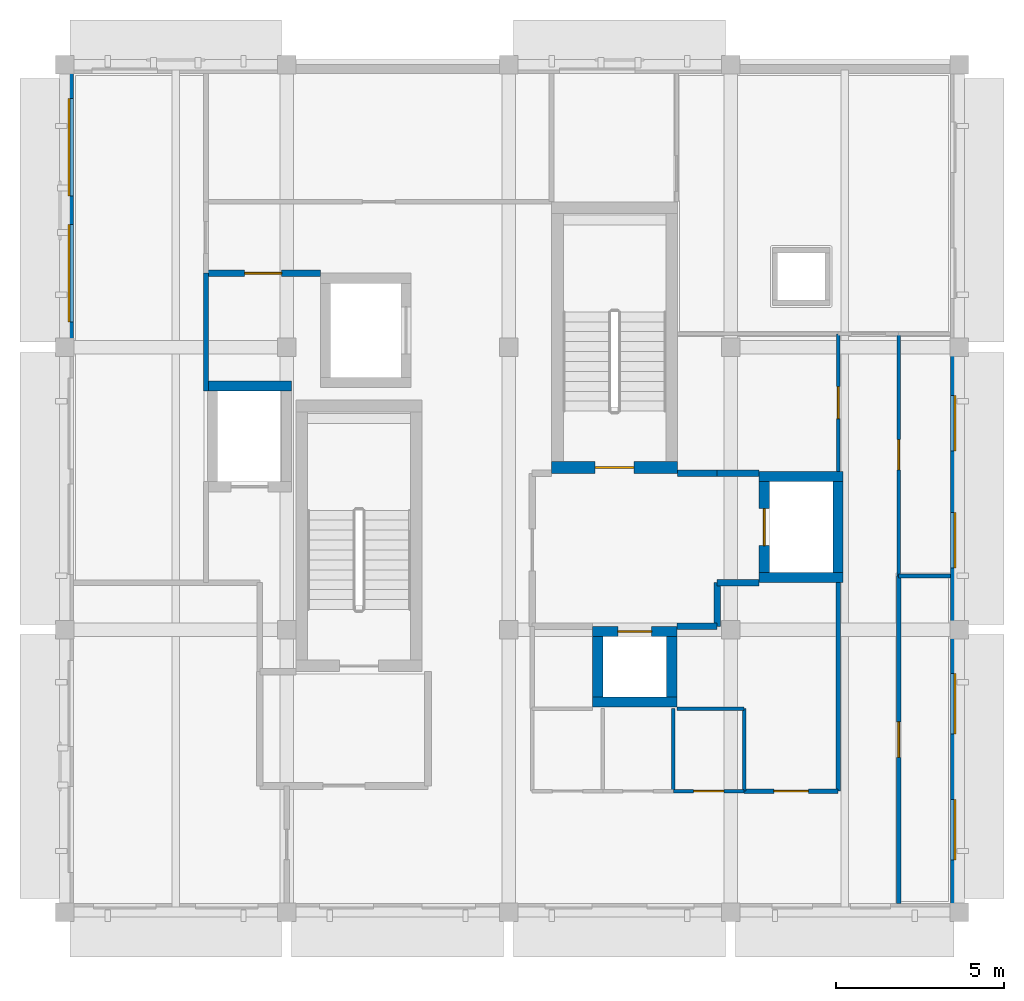
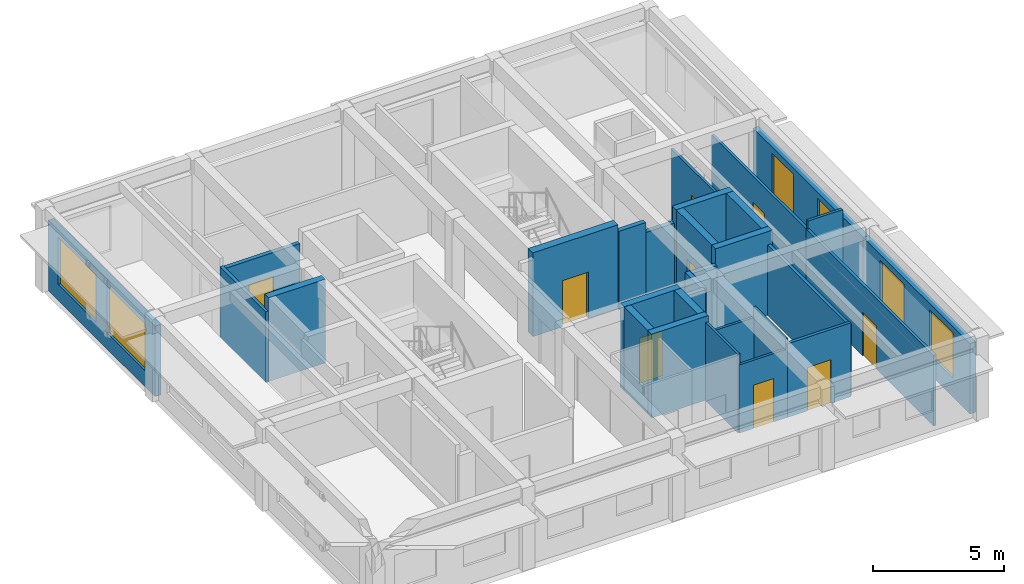
# One storey, part 3 of 7: 30 walls, 9 doors, 6 windows, 15 openings.
"""IFC4 building model written with IfcOpenShell, lengths in metres."""

from ifc_helpers import new_model, si_unit, direction, frame, frame_2d, origin, place, context, subcontext, project, spatial, rectangle, extrude, material, layer, layer_set, type_object, element, fill, save


model = new_model("IFC4")

# Units and contexts
model_context = context("Model", 3, precision=1e-05, world=origin(), true_north=direction((0.0, 1.0)))
body_context = subcontext(model_context, "Body", "Model", "MODEL_VIEW")
ifc_project = project(units=[si_unit("LENGTHUNIT", "METRE"), si_unit("AREAUNIT", "SQUARE_METRE"), si_unit("VOLUMEUNIT", "CUBIC_METRE"), si_unit("PLANEANGLEUNIT", "RADIAN"), si_unit("MASSUNIT", "GRAM", prefix="KILO")], contexts=[model_context])

# Site, building, storey
site_placement = place(None, origin())
site = spatial("IfcSite", under=ifc_project, at=site_placement, CompositionType="ELEMENT")
building_placement = place(site_placement, origin())
building = spatial("IfcBuilding", under=site, at=building_placement, Name="Kolvaren Faculty of Natural Sciences", CompositionType="ELEMENT")
storey_placement = place(building_placement, frame((0.0, 0.0, 40.5)))
storey = spatial("IfcBuildingStorey", under=building, at=storey_placement, Name="L09", CompositionType="ELEMENT", Elevation=40.5)

# Wall
ifc_material_1 = material(Name="Acoustic mineral-wool insulated gypsum partition")
ifc_layer_1 = layer(ifc_material_1, 0.14501953125)
ifc_layer_set_1 = layer_set([ifc_layer_1], Name="Acoustic mineral-wool insulated gypsum partition")
wall_type_1 = type_object("IfcWallType", Name="CommonsPartitionWall_145", PredefinedType="PARTITIONING", material=ifc_layer_set_1)
wall_1_placement = place(storey_placement, frame((149.60009765625, 78.0, 0.0), z_axis=(0.0, 0.0, 1.0), x_axis=(0.0, -1.0, 0.0)))
element("IfcWall", 1, at=wall_1_placement, inside=storey, type_object=wall_type_1, Name="L09 interior partition PW-145", PredefinedType="PARTITIONING", context=body_context, shape_type="SweptSolid", body=[
    extrude(rectangle(XDim=3.5, YDim=0.14501953125, at=frame_2d((1.75, 0.0))), origin(), (0.0, 0.0, 1.0), 3.284912109375),
])

# Wall, opening, door
ifc_material_2 = material(Name="Concrete C40/50", Category="concrete")
ifc_layer_2 = layer(ifc_material_2, 0.35009765625)
ifc_layer_set_2 = layer_set([ifc_layer_2], Name="Concrete C40/50")
wall_type_2 = type_object("IfcWallType", Name="CoreShearWall_350", PredefinedType="SHEAR", material=ifc_layer_set_2)
wall_2_placement = place(storey_placement, frame((159.875, 72.22509765625, 0.0), z_axis=(0.0, 0.0, 1.0), x_axis=(1.0, 0.0, 0.0)))
wall_2 = element("IfcWall", 2, at=wall_2_placement, inside=storey, type_object=wall_type_2, Name="L09 CORE-C1 stair shear wall S", PredefinedType="SHEAR", context=body_context, shape_type="SweptSolid", body=[
    extrude(rectangle(XDim=3.75, YDim=0.35009765625, at=frame_2d((1.875, 0.0))), origin(), (0.0, 0.0, 1.0), 3.89990234375),
])
opening_1_placement = place(wall_2_placement, frame((1.300048828125, 0.0, 0.0)))
opening_1 = element("IfcOpeningElement", 3, at=opening_1_placement, cuts=wall_2, Name="Opening FD90", PredefinedType="OPENING", context=body_context, shape_type="SweptSolid", body=[
    extrude(rectangle(XDim=1.14990234375, YDim=2.14990234375, at=frame_2d((0.574951171875, 1.074951171875))), frame((0.0, 0.18505859375, 0.0), z_axis=(0.0, -1.0, 0.0), x_axis=(1.0, 0.0, 0.0)), (0.0, 0.0, 1.0), 0.3701171875),
])
ifc_material_3 = material(Name="Fire-rated solid-core hardwood door leaf in steel frame", Category="steel")
door_type_1 = type_object("IfcDoorType", Name="StairCoreFireDoor_1150x2150", OperationType="NOTDEFINED", PredefinedType="DOOR", material=ifc_material_3)
door_1_placement = place(opening_1_placement, origin())
door_1 = element("IfcDoor", 4, at=door_1_placement, inside=storey, type_object=door_type_1, Name="D-ST-ST-1-L09", OperationType="SINGLE_SWING_LEFT", OverallHeight=2.14990234375, OverallWidth=1.14990234375, PredefinedType="DOOR", context=body_context, shape_type="SweptSolid", body=[
    extrude(rectangle(XDim=1.14990234375, YDim=2.14990234375, at=frame_2d((0.574951171875, 1.074951171875))), frame((0.0, 0.02490234375, 0.0), z_axis=(0.0, -1.0, 0.0), x_axis=(1.0, 0.0, 0.0)), (0.0, 0.0, 1.0), 0.050048828125),
])
fill(opening_1, door_1)

# Wall, openings, windows
ifc_material_4 = material(Name="Precast concrete C35/45", Category="concrete")
ifc_layer_3 = layer(ifc_material_4, 0.260009765625)
ifc_layer_set_3 = layer_set([ifc_layer_3], Name="Precast concrete C35/45")
wall_type_3 = type_object("IfcWallType", Name="ExteriorPrecastWall_260", PredefinedType="STANDARD", material=ifc_layer_set_3)
wall_3_placement = place(storey_placement, frame((171.8701171875, 75.800048828125, 0.0), z_axis=(0.0, 0.0, 1.0), x_axis=(0.0, -1.0, 0.0)))
wall_3 = element("IfcWall", 5, at=wall_3_placement, inside=storey, type_object=wall_type_3, Name="L09 exterior masonry wall EW-260 (741)", PredefinedType="STANDARD", context=body_context, shape_type="SweptSolid", body=[
    extrude(rectangle(XDim=8.400146484375, YDim=0.260009765625, at=frame_2d((4.2001953125, 0.0))), origin(), (0.0, 0.0, 1.0), 3.284912109375),
])
opening_2_placement = place(wall_3_placement, frame((1.443115234375, 0.0, 0.89990234375)))
opening_2 = element("IfcOpeningElement", 6, at=opening_2_placement, cuts=wall_3, Name="Opening WIN-04", PredefinedType="OPENING", context=body_context, shape_type="SweptSolid", body=[
    extrude(rectangle(XDim=1.64990234375, YDim=2.10009765625, at=frame_2d((0.824951171875, 1.050048828125))), frame((0.0, 0.139892578125, 0.0), z_axis=(0.0, -1.0, 0.0), x_axis=(1.0, 0.0, 0.0)), (0.0, 0.0, 1.0), 0.280029296875),
])
opening_3_placement = place(wall_3_placement, frame((4.909912109375, 0.0, 0.89990234375)))
opening_3 = element("IfcOpeningElement", 7, at=opening_3_placement, cuts=wall_3, Name="Opening WIN-04", PredefinedType="OPENING", context=body_context, shape_type="SweptSolid", body=[
    extrude(rectangle(XDim=1.64990234375, YDim=2.10009765625, at=frame_2d((0.824951171875, 1.050048828125))), frame((0.0, 0.139892578125, 0.0), z_axis=(0.0, -1.0, 0.0), x_axis=(1.0, 0.0, 0.0)), (0.0, 0.0, 1.0), 0.280029296875),
])
ifc_material_5 = material(Name="Double low-E solar control insulated glazing", Category="glass")
window_type_1 = type_object("IfcWindowType", Name="AluWindow_WIN04_1650x2100", PartitioningType="SINGLE_PANEL", PredefinedType="WINDOW", material=ifc_material_5)
window_1_placement = place(opening_2_placement, origin())
window_1 = element("IfcWindow", 8, at=window_1_placement, inside=storey, type_object=window_type_1, Name="WIN-L09-0607", OverallHeight=2.10009765625, OverallWidth=1.64990234375, PartitioningType="SINGLE_PANEL", PredefinedType="WINDOW", context=body_context, shape_type="SweptSolid", body=[
    extrude(rectangle(XDim=1.64990234375, YDim=2.10009765625, at=frame_2d((0.824951171875, 1.050048828125))), frame((0.0, 0.030029296875, 0.0), z_axis=(0.0, -1.0, 0.0), x_axis=(1.0, 0.0, 0.0)), (0.0, 0.0, 1.0), 0.06005859375),
])
fill(opening_2, window_1)
window_2_placement = place(opening_3_placement, origin())
window_2 = element("IfcWindow", 9, at=window_2_placement, inside=storey, type_object=window_type_1, Name="WIN-L09-0608", OverallHeight=2.10009765625, OverallWidth=1.64990234375, PartitioningType="SINGLE_PANEL", PredefinedType="WINDOW", context=body_context, shape_type="SweptSolid", body=[
    extrude(rectangle(XDim=1.64990234375, YDim=2.10009765625, at=frame_2d((0.824951171875, 1.050048828125))), frame((0.0, 0.030029296875, 0.0), z_axis=(0.0, -1.0, 0.0), x_axis=(1.0, 0.0, 0.0)), (0.0, 0.0, 1.0), 0.06005859375),
])
fill(opening_3, window_2)

wall_4_placement = place(storey_placement, frame((171.8701171875, 67.39990234375, 0.0), z_axis=(0.0, 0.0, 1.0), x_axis=(0.0, -1.0, 0.0)))
wall_4 = element("IfcWall", 10, at=wall_4_placement, inside=storey, type_object=wall_type_3, Name="L09 exterior masonry wall EW-260 (742)", PredefinedType="STANDARD", context=body_context, shape_type="SweptSolid", body=[
    extrude(rectangle(XDim=8.139892578125, YDim=0.260009765625, at=frame_2d((4.06982421875, 0.0))), origin(), (0.0, 0.0, 1.0), 3.284912109375),
])
opening_4_placement = place(wall_4_placement, frame((1.2978515625, 0.0, 0.89990234375)))
opening_4 = element("IfcOpeningElement", 11, at=opening_4_placement, cuts=wall_4, Name="Opening WIN-05", PredefinedType="OPENING", context=body_context, shape_type="SweptSolid", body=[
    extrude(rectangle(XDim=1.800048828125, YDim=2.10009765625, at=frame_2d((0.89990234375, 1.050048828125))), frame((0.0, 0.139892578125, 0.0), z_axis=(0.0, -1.0, 0.0), x_axis=(1.0, 0.0, 0.0)), (0.0, 0.0, 1.0), 0.280029296875),
])
opening_5_placement = place(wall_4_placement, frame((5.042236328125, 0.0, 0.89990234375)))
opening_5 = element("IfcOpeningElement", 12, at=opening_5_placement, cuts=wall_4, Name="Opening WIN-05", PredefinedType="OPENING", context=body_context, shape_type="SweptSolid", body=[
    extrude(rectangle(XDim=1.800048828125, YDim=2.10009765625, at=frame_2d((0.89990234375, 1.050048828125))), frame((0.0, 0.139892578125, 0.0), z_axis=(0.0, -1.0, 0.0), x_axis=(1.0, 0.0, 0.0)), (0.0, 0.0, 1.0), 0.280029296875),
])
window_type_2 = type_object("IfcWindowType", Name="AluWindow_WIN05_1800x2100", PartitioningType="SINGLE_PANEL", PredefinedType="WINDOW", material=ifc_material_5)
window_3_placement = place(opening_4_placement, origin())
window_3 = element("IfcWindow", 13, at=window_3_placement, inside=storey, type_object=window_type_2, Name="WIN-L09-0609", OverallHeight=2.10009765625, OverallWidth=1.800048828125, PartitioningType="SINGLE_PANEL", PredefinedType="WINDOW", context=body_context, shape_type="SweptSolid", body=[
    extrude(rectangle(XDim=1.800048828125, YDim=2.10009765625, at=frame_2d((0.89990234375, 1.050048828125))), frame((0.0, 0.030029296875, 0.0), z_axis=(0.0, -1.0, 0.0), x_axis=(1.0, 0.0, 0.0)), (0.0, 0.0, 1.0), 0.06005859375),
])
fill(opening_4, window_3)
window_4_placement = place(opening_5_placement, origin())
window_4 = element("IfcWindow", 14, at=window_4_placement, inside=storey, type_object=window_type_2, Name="WIN-L09-0610", OverallHeight=2.10009765625, OverallWidth=1.800048828125, PartitioningType="SINGLE_PANEL", PredefinedType="WINDOW", context=body_context, shape_type="SweptSolid", body=[
    extrude(rectangle(XDim=1.800048828125, YDim=2.10009765625, at=frame_2d((0.89990234375, 1.050048828125))), frame((0.0, 0.030029296875, 0.0), z_axis=(0.0, -1.0, 0.0), x_axis=(1.0, 0.0, 0.0)), (0.0, 0.0, 1.0), 0.06005859375),
])
fill(opening_5, window_4)

wall_5_placement = place(storey_placement, frame((145.530029296875, 75.800048828125, 0.0), z_axis=(0.0, 0.0, 1.0), x_axis=(0.0, 1.0, 0.0)))
wall_5 = element("IfcWall", 15, at=wall_5_placement, inside=storey, type_object=wall_type_3, Name="L09 exterior masonry wall EW-260 (749)", PredefinedType="STANDARD", context=body_context, shape_type="SweptSolid", body=[
    extrude(rectangle(XDim=8.139892578125, YDim=0.260009765625, at=frame_2d((4.06982421875, 0.0))), origin(), (0.0, 0.0, 1.0), 3.284912109375),
])
opening_6_placement = place(wall_5_placement, frame((0.747802734375, 0.0, 0.75)))
opening_6 = element("IfcOpeningElement", 16, at=opening_6_placement, cuts=wall_5, Name="Opening WIN-12", PredefinedType="OPENING", context=body_context, shape_type="SweptSolid", body=[
    extrude(rectangle(XDim=2.89990234375, YDim=2.199951171875, at=frame_2d((1.449951171875, 1.10009765625))), frame((0.0, 0.139892578125, 0.0), z_axis=(0.0, -1.0, 0.0), x_axis=(1.0, 0.0, 0.0)), (0.0, 0.0, 1.0), 0.280029296875),
])
opening_7_placement = place(wall_5_placement, frame((4.4921875, 0.0, 0.75)))
opening_7 = element("IfcOpeningElement", 17, at=opening_7_placement, cuts=wall_5, Name="Opening WIN-12", PredefinedType="OPENING", context=body_context, shape_type="SweptSolid", body=[
    extrude(rectangle(XDim=2.89990234375, YDim=2.199951171875, at=frame_2d((1.449951171875, 1.10009765625))), frame((0.0, 0.139892578125, 0.0), z_axis=(0.0, -1.0, 0.0), x_axis=(1.0, 0.0, 0.0)), (0.0, 0.0, 1.0), 0.280029296875),
])
window_type_3 = type_object("IfcWindowType", Name="AluWindow_WIN12_2900x2200", PartitioningType="SINGLE_PANEL", PredefinedType="WINDOW", material=ifc_material_5)
window_5_placement = place(opening_6_placement, origin())
window_5 = element("IfcWindow", 18, at=window_5_placement, inside=storey, type_object=window_type_3, Name="WIN-L09-0617", OverallHeight=2.199951171875, OverallWidth=2.89990234375, PartitioningType="SINGLE_PANEL", PredefinedType="WINDOW", context=body_context, shape_type="SweptSolid", body=[
    extrude(rectangle(XDim=2.89990234375, YDim=2.199951171875, at=frame_2d((1.449951171875, 1.10009765625))), frame((0.0, 0.030029296875, 0.0), z_axis=(0.0, -1.0, 0.0), x_axis=(1.0, 0.0, 0.0)), (0.0, 0.0, 1.0), 0.06005859375),
])
fill(opening_6, window_5)
window_6_placement = place(opening_7_placement, origin())
window_6 = element("IfcWindow", 19, at=window_6_placement, inside=storey, type_object=window_type_3, Name="WIN-L09-0618", OverallHeight=2.199951171875, OverallWidth=2.89990234375, PartitioningType="SINGLE_PANEL", PredefinedType="WINDOW", context=body_context, shape_type="SweptSolid", body=[
    extrude(rectangle(XDim=2.89990234375, YDim=2.199951171875, at=frame_2d((1.449951171875, 1.10009765625))), frame((0.0, 0.030029296875, 0.0), z_axis=(0.0, -1.0, 0.0), x_axis=(1.0, 0.0, 0.0)), (0.0, 0.0, 1.0), 0.06005859375),
])
fill(opening_7, window_6)

# Walls
ifc_material_6 = material(Name="Autoclaved aerated fire-rated masonry blockwork", Category="masonry")
ifc_layer_4 = layer(ifc_material_6, 0.199951171875)
ifc_layer_set_4 = layer_set([ifc_layer_4], Name="Autoclaved aerated fire-rated masonry blockwork")
wall_type_4 = type_object("IfcWallType", Name="FireLobbyWall_200", PredefinedType="PARTITIONING", material=ifc_layer_set_4)
wall_6_placement = place(storey_placement, frame((163.625, 72.050048828125, 0.0), z_axis=(0.0, 0.0, 1.0), x_axis=(1.0, 0.0, 0.0)))
element("IfcWall", 20, at=wall_6_placement, inside=storey, type_object=wall_type_4, Name="L09 interior partition FW-200", PredefinedType="PARTITIONING", context=body_context, shape_type="SweptSolid", body=[
    extrude(rectangle(XDim=1.175048828125, YDim=0.199951171875, at=frame_2d((0.58740234375, 0.0))), origin(), (0.0, 0.0, 1.0), 3.655029296875),
])
for number, where, z_axis, x_axis, name in (
    (21, (164.800048828125, 72.050048828125, 0.0), (0.0, 0.0, 1.0), (1.0, 0.0, 0.0), "L09 interior partition FW-200"),
    (22, (166.050048828125, 68.800048828125, 0.0), (0.0, 0.0, 1.0), (-1.0, 0.0, 0.0), "L09 interior partition FW-200"),
):
    element("IfcWall", number, at=place(storey_placement, frame(where, z_axis=z_axis, x_axis=x_axis)), inside=storey, type_object=wall_type_4, Name=name, PredefinedType="PARTITIONING", context=body_context, shape_type="SweptSolid", body=[
        extrude(rectangle(XDim=1.25, YDim=0.199951171875, at=frame_2d((0.625, 0.0))), origin(), (0.0, 0.0, 1.0), 3.18505859375),
    ])
wall_7_placement = place(storey_placement, frame((164.800048828125, 68.800048828125, 0.0), z_axis=(0.0, 0.0, 1.0), x_axis=(0.0, -1.0, 0.0)))
element("IfcWall", 23, at=wall_7_placement, inside=storey, type_object=wall_type_4, Name="L09 interior partition FW-200", PredefinedType="PARTITIONING", context=body_context, shape_type="SweptSolid", body=[
    extrude(rectangle(XDim=1.300048828125, YDim=0.199951171875, at=frame_2d((0.64990234375, 0.0))), origin(), (0.0, 0.0, 1.0), 3.284912109375),
])
wall_8_placement = place(storey_placement, frame((164.800048828125, 67.5, 0.0), z_axis=(0.0, 0.0, 1.0), x_axis=(-1.0, 0.0, 0.0)))
element("IfcWall", 24, at=wall_8_placement, inside=storey, type_object=wall_type_4, Name="L09 interior partition FW-200", PredefinedType="PARTITIONING", context=body_context, shape_type="SweptSolid", body=[
    extrude(rectangle(XDim=1.199951171875, YDim=0.199951171875, at=frame_2d((0.60009765625, 0.0))), origin(), (0.0, 0.0, 1.0), 3.284912109375),
])

# Wall, opening, door
ifc_layer_5 = layer(ifc_material_1, 0.179931640625)
ifc_layer_set_5 = layer_set([ifc_layer_5], Name="Acoustic mineral-wool insulated gypsum partition")
wall_type_5 = type_object("IfcWallType", Name="LabPartitionWall_180", PredefinedType="PARTITIONING", material=ifc_layer_set_5)
wall_9_placement = place(storey_placement, frame((149.60009765625, 78.0, 0.0), z_axis=(0.0, 0.0, 1.0), x_axis=(1.0, 0.0, 0.0)))
wall_9 = element("IfcWall", 25, at=wall_9_placement, inside=storey, type_object=wall_type_5, Name="L09 interior partition PW-180", PredefinedType="PARTITIONING", context=body_context, shape_type="SweptSolid", body=[
    extrude(rectangle(XDim=3.39990234375, YDim=0.179931640625, at=frame_2d((1.699951171875, 0.0))), origin(), (0.0, 0.0, 1.0), 3.18505859375),
])
opening_8_placement = place(wall_9_placement, frame((1.14990234375, 0.0, 0.0)))
opening_8 = element("IfcOpeningElement", 26, at=opening_8_placement, cuts=wall_9, Name="Opening ID-10", PredefinedType="OPENING", context=body_context, shape_type="SweptSolid", body=[
    extrude(rectangle(XDim=1.10009765625, YDim=2.06005859375, at=frame_2d((0.550048828125, 1.030029296875))), frame((0.0, 0.099853515625, 0.0), z_axis=(0.0, -1.0, 0.0), x_axis=(1.0, 0.0, 0.0)), (0.0, 0.0, 1.0), 0.199951171875),
])
ifc_material_7 = material(Name="Solid-core hardwood veneer door leaf in steel frame", Category="steel")
door_type_2 = type_object("IfcDoorType", Name="InteriorRoomDoor_1100x2060", OperationType="NOTDEFINED", PredefinedType="DOOR", material=ifc_material_7)
door_2_placement = place(opening_8_placement, origin())
door_2 = element("IfcDoor", 27, at=door_2_placement, inside=storey, type_object=door_type_2, Name="D-L09-0394", OperationType="SINGLE_SWING_LEFT", OverallHeight=2.06005859375, OverallWidth=1.10009765625, PredefinedType="DOOR", context=body_context, shape_type="SweptSolid", body=[
    extrude(rectangle(XDim=1.10009765625, YDim=2.06005859375, at=frame_2d((0.550048828125, 1.030029296875))), frame((0.0, 0.02490234375, 0.0), z_axis=(0.0, -1.0, 0.0), x_axis=(1.0, 0.0, 0.0)), (0.0, 0.0, 1.0), 0.050048828125),
])
fill(opening_8, door_2)

# Wall
ifc_layer_6 = layer(ifc_material_1, 0.1298828125)
ifc_layer_set_6 = layer_set([ifc_layer_6], Name="Acoustic mineral-wool insulated gypsum partition")
wall_type_6 = type_object("IfcWallType", Name="OfficePartitionWall_130", PredefinedType="PARTITIONING", material=ifc_layer_set_6)
wall_10_placement = place(storey_placement, frame((168.39990234375, 68.798095703125, 0.0), z_axis=(0.0, 0.0, 1.0), x_axis=(0.0, -1.0, 0.0)))
element("IfcWall", 28, at=wall_10_placement, inside=storey, type_object=wall_type_6, Name="L09 interior partition PW-130", PredefinedType="PARTITIONING", context=body_context, shape_type="SweptSolid", body=[
    extrude(rectangle(XDim=6.197998046875, YDim=0.1298828125, at=frame_2d((3.09912109375, 0.0))), origin(), (0.0, 0.0, 1.0), 3.284912109375),
])

# Wall, opening, door
wall_11_placement = place(storey_placement, frame((168.39990234375, 62.60009765625, 0.0), z_axis=(0.0, 0.0, 1.0), x_axis=(-1.0, 0.0, 0.0)))
wall_11 = element("IfcWall", 29, at=wall_11_placement, inside=storey, type_object=wall_type_6, Name="L09 interior partition PW-130", PredefinedType="PARTITIONING", context=body_context, shape_type="SweptSolid", body=[
    extrude(rectangle(XDim=2.7998046875, YDim=0.1298828125, at=frame_2d((1.39990234375, 0.0))), origin(), (0.0, 0.0, 1.0), 3.43505859375),
])
opening_9_placement = place(wall_11_placement, frame((0.889892578125, 0.0, 0.0)))
opening_9 = element("IfcOpeningElement", 30, at=opening_9_placement, cuts=wall_11, Name="Opening ID-04", PredefinedType="OPENING", context=body_context, shape_type="SweptSolid", body=[
    extrude(rectangle(XDim=1.02001953125, YDim=2.02001953125, at=frame_2d((0.510009765625, 1.010009765625))), frame((0.0, 0.074951171875, 0.0), z_axis=(0.0, -1.0, 0.0), x_axis=(1.0, 0.0, 0.0)), (0.0, 0.0, 1.0), 0.14990234375),
])
door_type_3 = type_object("IfcDoorType", Name="InteriorRoomDoor_1020x2020", OperationType="NOTDEFINED", PredefinedType="DOOR", material=ifc_material_7)
door_3_placement = place(opening_9_placement, origin())
door_3 = element("IfcDoor", 31, at=door_3_placement, inside=storey, type_object=door_type_3, Name="D-L09-0388", OperationType="SINGLE_SWING_LEFT", OverallHeight=2.02001953125, OverallWidth=1.02001953125, PredefinedType="DOOR", context=body_context, shape_type="SweptSolid", body=[
    extrude(rectangle(XDim=1.02001953125, YDim=2.02001953125, at=frame_2d((0.510009765625, 1.010009765625))), frame((0.0, 0.02490234375, 0.0), z_axis=(0.0, -1.0, 0.0), x_axis=(1.0, 0.0, 0.0)), (0.0, 0.0, 1.0), 0.050048828125),
])
fill(opening_9, door_3)

# Walls
ifc_layer_7 = layer(ifc_material_2, 0.300048828125)
ifc_layer_set_7 = layer_set([ifc_layer_7], Name="Concrete C40/50")
wall_type_7 = type_object("IfcWallType", Name="ShaftShearWall_300", PredefinedType="SHEAR", material=ifc_layer_set_7)
for number, where, z_axis, x_axis, name in (
    (32, (166.050048828125, 68.949951171875, 0.0), (0.0, 0.0, 1.0), (1.0, 0.0, 0.0), "L09 lift FL-1 shaft wall S"),
    (33, (166.050048828125, 71.949951171875, 0.0), (0.0, 0.0, 1.0), (1.0, 0.0, 0.0), "L09 lift FL-1 shaft wall N"),
):
    element("IfcWall", number, at=place(storey_placement, frame(where, z_axis=z_axis, x_axis=x_axis)), inside=storey, type_object=wall_type_7, Name=name, PredefinedType="SHEAR", context=body_context, shape_type="SweptSolid", body=[
        extrude(rectangle(XDim=2.5, YDim=0.300048828125, at=frame_2d((1.25, 0.0))), origin(), (0.0, 0.0, 1.0), 3.89990234375),
    ])

# Wall, opening, door
wall_12_placement = place(storey_placement, frame((166.199951171875, 69.10009765625, 0.0), z_axis=(0.0, 0.0, 1.0), x_axis=(0.0, 1.0, 0.0)))
wall_12 = element("IfcWall", 34, at=wall_12_placement, inside=storey, type_object=wall_type_7, Name="L09 lift FL-1 shaft wall W", PredefinedType="SHEAR", context=body_context, shape_type="SweptSolid", body=[
    extrude(rectangle(XDim=2.699951171875, YDim=0.300048828125, at=frame_2d((1.35009765625, 0.0))), origin(), (0.0, 0.0, 1.0), 3.89990234375),
])
opening_10_placement = place(wall_12_placement, frame((0.800048828125, 0.0, 0.0)))
opening_10 = element("IfcOpeningElement", 35, at=opening_10_placement, cuts=wall_12, Name="Opening LD-01", PredefinedType="OPENING", context=body_context, shape_type="SweptSolid", body=[
    extrude(rectangle(XDim=1.10009765625, YDim=2.10009765625, at=frame_2d((0.550048828125, 1.050048828125))), frame((0.0, 0.159912109375, 0.0), z_axis=(0.0, -1.0, 0.0), x_axis=(1.0, 0.0, 0.0)), (0.0, 0.0, 1.0), 0.320068359375),
])
ifc_material_8 = material(Name="Brushed stainless steel lift car and sliding door assembly", Category="steel")
door_type_4 = type_object("IfcDoorType", Name="LiftLandingSliding_1100x2100", OperationType="DOUBLE_DOOR_SLIDING", PredefinedType="DOOR", material=ifc_material_8)
door_4_placement = place(opening_10_placement, origin())
door_4 = element("IfcDoor", 36, at=door_4_placement, inside=storey, type_object=door_type_4, Name="D-LIFT-FL-1-L09", OperationType="DOUBLE_DOOR_SLIDING", OverallHeight=2.10009765625, OverallWidth=1.10009765625, PredefinedType="DOOR", context=body_context, shape_type="SweptSolid", body=[
    extrude(rectangle(XDim=1.10009765625, YDim=2.10009765625, at=frame_2d((0.550048828125, 1.050048828125))), frame((0.0, 0.02490234375, 0.0), z_axis=(0.0, -1.0, 0.0), x_axis=(1.0, 0.0, 0.0)), (0.0, 0.0, 1.0), 0.050048828125),
])
fill(opening_10, door_4)

# Walls
wall_13_placement = place(storey_placement, frame((168.39990234375, 69.10009765625, 0.0), z_axis=(0.0, 0.0, 1.0), x_axis=(0.0, 1.0, 0.0)))
element("IfcWall", 37, at=wall_13_placement, inside=storey, type_object=wall_type_7, Name="L09 lift FL-1 shaft wall E", PredefinedType="SHEAR", context=body_context, shape_type="SweptSolid", body=[
    extrude(rectangle(XDim=2.699951171875, YDim=0.300048828125, at=frame_2d((1.35009765625, 0.0))), origin(), (0.0, 0.0, 1.0), 3.89990234375),
])
wall_14_placement = place(storey_placement, frame((161.10009765625, 65.25, 0.0), z_axis=(0.0, 0.0, 1.0), x_axis=(1.0, 0.0, 0.0)))
element("IfcWall", 38, at=wall_14_placement, inside=storey, type_object=wall_type_7, Name="L09 lift PL-1 shaft wall S", PredefinedType="SHEAR", context=body_context, shape_type="SweptSolid", body=[
    extrude(rectangle(XDim=2.5, YDim=0.300048828125, at=frame_2d((1.25, 0.0))), origin(), (0.0, 0.0, 1.0), 3.89990234375),
])

# Wall, opening, door
wall_15_placement = place(storey_placement, frame((161.10009765625, 67.35009765625, 0.0), z_axis=(0.0, 0.0, 1.0), x_axis=(1.0, 0.0, 0.0)))
wall_15 = element("IfcWall", 39, at=wall_15_placement, inside=storey, type_object=wall_type_7, Name="L09 lift PL-1 shaft wall N", PredefinedType="SHEAR", context=body_context, shape_type="SweptSolid", body=[
    extrude(rectangle(XDim=2.5, YDim=0.300048828125, at=frame_2d((1.25, 0.0))), origin(), (0.0, 0.0, 1.0), 3.89990234375),
])
opening_11_placement = place(wall_15_placement, frame((0.75, 0.0, 0.0)))
opening_11 = element("IfcOpeningElement", 40, at=opening_11_placement, cuts=wall_15, Name="Opening LD-02", PredefinedType="OPENING", context=body_context, shape_type="SweptSolid", body=[
    extrude(rectangle(XDim=1.0, YDim=2.10009765625, at=frame_2d((0.5, 1.050048828125))), frame((0.0, 0.159912109375, 0.0), z_axis=(0.0, -1.0, 0.0), x_axis=(1.0, 0.0, 0.0)), (0.0, 0.0, 1.0), 0.320068359375),
])
door_type_5 = type_object("IfcDoorType", Name="LiftLandingSliding_1000x2100", OperationType="SLIDING_TO_LEFT", PredefinedType="DOOR", material=ifc_material_8)
door_5_placement = place(opening_11_placement, origin())
door_5 = element("IfcDoor", 41, at=door_5_placement, inside=storey, type_object=door_type_5, Name="D-LIFT-PL-1-L09", OperationType="SLIDING_TO_LEFT", OverallHeight=2.10009765625, OverallWidth=1.0, PredefinedType="DOOR", context=body_context, shape_type="SweptSolid", body=[
    extrude(rectangle(XDim=1.0, YDim=2.10009765625, at=frame_2d((0.5, 1.050048828125))), frame((0.0, 0.02490234375, 0.0), z_axis=(0.0, -1.0, 0.0), x_axis=(1.0, 0.0, 0.0)), (0.0, 0.0, 1.0), 0.050048828125),
])
fill(opening_11, door_5)

# Walls
for number, where, z_axis, x_axis, name in (
    (42, (161.25, 65.39990234375, 0.0), (0.0, 0.0, 1.0), (0.0, 1.0, 0.0), "L09 lift PL-1 shaft wall W"),
    (43, (163.449951171875, 65.39990234375, 0.0), (0.0, 0.0, 1.0), (0.0, 1.0, 0.0), "L09 lift PL-1 shaft wall E"),
):
    element("IfcWall", number, at=place(storey_placement, frame(where, z_axis=z_axis, x_axis=x_axis)), inside=storey, type_object=wall_type_7, Name=name, PredefinedType="SHEAR", context=body_context, shape_type="SweptSolid", body=[
        extrude(rectangle(XDim=1.800048828125, YDim=0.300048828125, at=frame_2d((0.89990234375, 0.0))), origin(), (0.0, 0.0, 1.0), 3.89990234375),
    ])
wall_16_placement = place(storey_placement, frame((149.64990234375, 74.64990234375, 0.0), z_axis=(0.0, 0.0, 1.0), x_axis=(1.0, 0.0, 0.0)))
element("IfcWall", 44, at=wall_16_placement, inside=storey, type_object=wall_type_7, Name="L09 lift FL-2 shaft wall N", PredefinedType="SHEAR", context=body_context, shape_type="SweptSolid", body=[
    extrude(rectangle(XDim=2.5, YDim=0.300048828125, at=frame_2d((1.25, 0.0))), origin(), (0.0, 0.0, 1.0), 3.89990234375),
])

# Wall, opening, door
ifc_layer_8 = layer(ifc_material_1, 0.114990234375)
ifc_layer_set_8 = layer_set([ifc_layer_8], Name="Acoustic mineral-wool insulated gypsum partition")
wall_type_8 = type_object("IfcWallType", Name="StorePartitionWall_115", PredefinedType="PARTITIONING", material=ifc_layer_set_8)
wall_17_placement = place(storey_placement, frame((170.199951171875, 69.0, 0.0), z_axis=(0.0, 0.0, 1.0), x_axis=(0.0, 1.0, 0.0)))
wall_17 = element("IfcWall", 45, at=wall_17_placement, inside=storey, type_object=wall_type_8, Name="L09 interior partition PW-115", PredefinedType="PARTITIONING", context=body_context, shape_type="SweptSolid", body=[
    extrude(rectangle(XDim=7.199951171875, YDim=0.114990234375, at=frame_2d((3.60009765625, 0.0))), origin(), (0.0, 0.0, 1.0), 3.284912109375),
])
opening_12_placement = place(wall_17_placement, frame((3.14990234375, 0.0, 0.0)))
opening_12 = element("IfcOpeningElement", 46, at=opening_12_placement, cuts=wall_17, Name="Opening ID-06", PredefinedType="OPENING", context=body_context, shape_type="SweptSolid", body=[
    extrude(rectangle(XDim=0.89990234375, YDim=2.06005859375, at=frame_2d((0.449951171875, 1.030029296875))), frame((0.0, 0.0673828125, 0.0), z_axis=(0.0, -1.0, 0.0), x_axis=(1.0, 0.0, 0.0)), (0.0, 0.0, 1.0), 0.135009765625),
])
door_type_6 = type_object("IfcDoorType", Name="InteriorRoomDoor_900x2060", OperationType="NOTDEFINED", PredefinedType="DOOR", material=ifc_material_7)
door_6_placement = place(opening_12_placement, origin())
door_6 = element("IfcDoor", 47, at=door_6_placement, inside=storey, type_object=door_type_6, Name="D-L09-0390", OperationType="SINGLE_SWING_LEFT", OverallHeight=2.06005859375, OverallWidth=0.89990234375, PredefinedType="DOOR", context=body_context, shape_type="SweptSolid", body=[
    extrude(rectangle(XDim=0.89990234375, YDim=2.06005859375, at=frame_2d((0.449951171875, 1.030029296875))), frame((0.0, 0.02490234375, 0.0), z_axis=(0.0, -1.0, 0.0), x_axis=(1.0, 0.0, 0.0)), (0.0, 0.0, 1.0), 0.050048828125),
])
fill(opening_12, door_6)

ifc_layer_9 = layer(ifc_material_1, 0.1201171875)
ifc_layer_set_9 = layer_set([ifc_layer_9], Name="Acoustic mineral-wool insulated gypsum partition")
wall_type_9 = type_object("IfcWallType", Name="StudioPartitionWall_120", PredefinedType="PARTITIONING", material=ifc_layer_set_9)
wall_18_placement = place(storey_placement, frame((170.199951171875, 59.261962890625, 0.0), z_axis=(0.0, 0.0, 1.0), x_axis=(0.0, 1.0, 0.0)))
wall_18 = element("IfcWall", 48, at=wall_18_placement, inside=storey, type_object=wall_type_9, Name="L09 interior partition PW-120", PredefinedType="PARTITIONING", context=body_context, shape_type="SweptSolid", body=[
    extrude(rectangle(XDim=9.738037109375, YDim=0.1201171875, at=frame_2d((4.869140625, 0.0))), origin(), (0.0, 0.0, 1.0), 3.284912109375),
])
opening_13_placement = place(wall_18_placement, frame((4.339111328125, 0.0, 0.0)))
opening_13 = element("IfcOpeningElement", 49, at=opening_13_placement, cuts=wall_18, Name="Opening ID-05", PredefinedType="OPENING", context=body_context, shape_type="SweptSolid", body=[
    extrude(rectangle(XDim=1.06005859375, YDim=2.02001953125, at=frame_2d((0.530029296875, 1.010009765625))), frame((0.0, 0.070068359375, 0.0), z_axis=(0.0, -1.0, 0.0), x_axis=(1.0, 0.0, 0.0)), (0.0, 0.0, 1.0), 0.14013671875),
])
door_type_7 = type_object("IfcDoorType", Name="InteriorRoomDoor_1060x2020", OperationType="NOTDEFINED", PredefinedType="DOOR", material=ifc_material_7)
door_7_placement = place(opening_13_placement, origin())
door_7 = element("IfcDoor", 50, at=door_7_placement, inside=storey, type_object=door_type_7, Name="D-L09-0389", OperationType="SINGLE_SWING_RIGHT", OverallHeight=2.02001953125, OverallWidth=1.06005859375, PredefinedType="DOOR", context=body_context, shape_type="SweptSolid", body=[
    extrude(rectangle(XDim=1.06005859375, YDim=2.02001953125, at=frame_2d((0.530029296875, 1.010009765625))), frame((0.0, 0.02490234375, 0.0), z_axis=(0.0, -1.0, 0.0), x_axis=(1.0, 0.0, 0.0)), (0.0, 0.0, 1.0), 0.050048828125),
])
fill(opening_13, door_7)

# Walls
wall_19_placement = place(storey_placement, frame((170.199951171875, 69.0, 0.0), z_axis=(0.0, 0.0, 1.0), x_axis=(1.0, 0.0, 0.0)))
element("IfcWall", 51, at=wall_19_placement, inside=storey, type_object=wall_type_9, Name="L09 interior partition PW-120", PredefinedType="PARTITIONING", context=body_context, shape_type="SweptSolid", body=[
    extrude(rectangle(XDim=1.5380859375, YDim=0.1201171875, at=frame_2d((0.76904296875, 0.0))), origin(), (0.0, 0.0, 1.0), 3.655029296875),
])
ifc_layer_10 = layer(ifc_material_1, 0.10498046875)
ifc_layer_set_10 = layer_set([ifc_layer_10], Name="Acoustic mineral-wool insulated gypsum partition")
wall_type_10 = type_object("IfcWallType", Name="WetRoomPartition_105", PredefinedType="PARTITIONING", material=ifc_layer_set_10)
wall_20_placement = place(storey_placement, frame((163.5, 65.050048828125, 0.0), z_axis=(0.0, 0.0, 1.0), x_axis=(0.0, -1.0, 0.0)))
element("IfcWall", 52, at=wall_20_placement, inside=storey, type_object=wall_type_10, Name="L09 interior partition PW-105", PredefinedType="PARTITIONING", context=body_context, shape_type="SweptSolid", body=[
    extrude(rectangle(XDim=2.449951171875, YDim=0.10498046875, at=frame_2d((1.22509765625, 0.0))), origin(), (0.0, 0.0, 1.0), 3.655029296875),
])
wall_21_placement = place(storey_placement, frame((163.60009765625, 65.050048828125, 0.0), z_axis=(0.0, 0.0, 1.0), x_axis=(1.0, 0.0, 0.0)))
element("IfcWall", 53, at=wall_21_placement, inside=storey, type_object=wall_type_10, Name="L09 interior partition PW-105", PredefinedType="PARTITIONING", context=body_context, shape_type="SweptSolid", body=[
    extrude(rectangle(XDim=2.0, YDim=0.10498046875, at=frame_2d((1.0, 0.0))), origin(), (0.0, 0.0, 1.0), 3.18505859375),
])
wall_22_placement = place(storey_placement, frame((165.60009765625, 65.050048828125, 0.0), z_axis=(0.0, 0.0, 1.0), x_axis=(0.0, -1.0, 0.0)))
element("IfcWall", 54, at=wall_22_placement, inside=storey, type_object=wall_type_10, Name="L09 interior partition PW-105", PredefinedType="PARTITIONING", context=body_context, shape_type="SweptSolid", body=[
    extrude(rectangle(XDim=2.449951171875, YDim=0.10498046875, at=frame_2d((1.22509765625, 0.0))), origin(), (0.0, 0.0, 1.0), 3.655029296875),
])

# Wall, opening, door
wall_23_placement = place(storey_placement, frame((165.60009765625, 62.60009765625, 0.0), z_axis=(0.0, 0.0, 1.0), x_axis=(-1.0, 0.0, 0.0)))
wall_23 = element("IfcWall", 55, at=wall_23_placement, inside=storey, type_object=wall_type_10, Name="L09 interior partition PW-105", PredefinedType="PARTITIONING", context=body_context, shape_type="SweptSolid", body=[
    extrude(rectangle(XDim=2.10009765625, YDim=0.10498046875, at=frame_2d((1.050048828125, 0.0))), origin(), (0.0, 0.0, 1.0), 3.18505859375),
])
opening_14_placement = place(wall_23_placement, frame((0.60009765625, 0.0, 0.0)))
opening_14 = element("IfcOpeningElement", 56, at=opening_14_placement, cuts=wall_23, Name="Opening ID-01", PredefinedType="OPENING", context=body_context, shape_type="SweptSolid", body=[
    extrude(rectangle(XDim=0.89990234375, YDim=2.02001953125, at=frame_2d((0.449951171875, 1.010009765625))), frame((0.0, 0.0625, 0.0), z_axis=(0.0, -1.0, 0.0), x_axis=(1.0, 0.0, 0.0)), (0.0, 0.0, 1.0), 0.125),
])
door_type_8 = type_object("IfcDoorType", Name="InteriorRoomDoor_900x2020", OperationType="NOTDEFINED", PredefinedType="DOOR", material=ifc_material_7)
door_8_placement = place(opening_14_placement, origin())
door_8 = element("IfcDoor", 57, at=door_8_placement, inside=storey, type_object=door_type_8, Name="D-L09-0384", OperationType="SINGLE_SWING_LEFT", OverallHeight=2.02001953125, OverallWidth=0.89990234375, PredefinedType="DOOR", context=body_context, shape_type="SweptSolid", body=[
    extrude(rectangle(XDim=0.89990234375, YDim=2.02001953125, at=frame_2d((0.449951171875, 1.010009765625))), frame((0.0, 0.02490234375, 0.0), z_axis=(0.0, -1.0, 0.0), x_axis=(1.0, 0.0, 0.0)), (0.0, 0.0, 1.0), 0.050048828125),
])
fill(opening_14, door_8)

wall_24_placement = place(storey_placement, frame((168.39990234375, 76.199951171875, 0.0), z_axis=(0.0, 0.0, 1.0), x_axis=(0.0, -1.0, 0.0)))
wall_24 = element("IfcWall", 58, at=wall_24_placement, inside=storey, type_object=wall_type_10, Name="L09 interior partition PW-105", PredefinedType="PARTITIONING", context=body_context, shape_type="SweptSolid", body=[
    extrude(rectangle(XDim=4.097900390625, YDim=0.10498046875, at=frame_2d((2.048828125, 0.0))), origin(), (0.0, 0.0, 1.0), 3.284912109375),
])
opening_15_placement = place(wall_24_placement, frame((1.573974609375, 0.0, 0.0)))
opening_15 = element("IfcOpeningElement", 59, at=opening_15_placement, cuts=wall_24, Name="Opening ID-07", PredefinedType="OPENING", context=body_context, shape_type="SweptSolid", body=[
    extrude(rectangle(XDim=0.949951171875, YDim=2.06005859375, at=frame_2d((0.47509765625, 1.030029296875))), frame((0.0, 0.0625, 0.0), z_axis=(0.0, -1.0, 0.0), x_axis=(1.0, 0.0, 0.0)), (0.0, 0.0, 1.0), 0.125),
])
door_type_9 = type_object("IfcDoorType", Name="InteriorRoomDoor_950x2060", OperationType="NOTDEFINED", PredefinedType="DOOR", material=ifc_material_7)
door_9_placement = place(opening_15_placement, origin())
door_9 = element("IfcDoor", 60, at=door_9_placement, inside=storey, type_object=door_type_9, Name="D-L09-0391", OperationType="SINGLE_SWING_RIGHT", OverallHeight=2.06005859375, OverallWidth=0.949951171875, PredefinedType="DOOR", context=body_context, shape_type="SweptSolid", body=[
    extrude(rectangle(XDim=0.949951171875, YDim=2.06005859375, at=frame_2d((0.47509765625, 1.030029296875))), frame((0.0, 0.02490234375, 0.0), z_axis=(0.0, -1.0, 0.0), x_axis=(1.0, 0.0, 0.0)), (0.0, 0.0, 1.0), 0.050048828125),
])
fill(opening_15, door_9)

save(model, "model.ifc")
